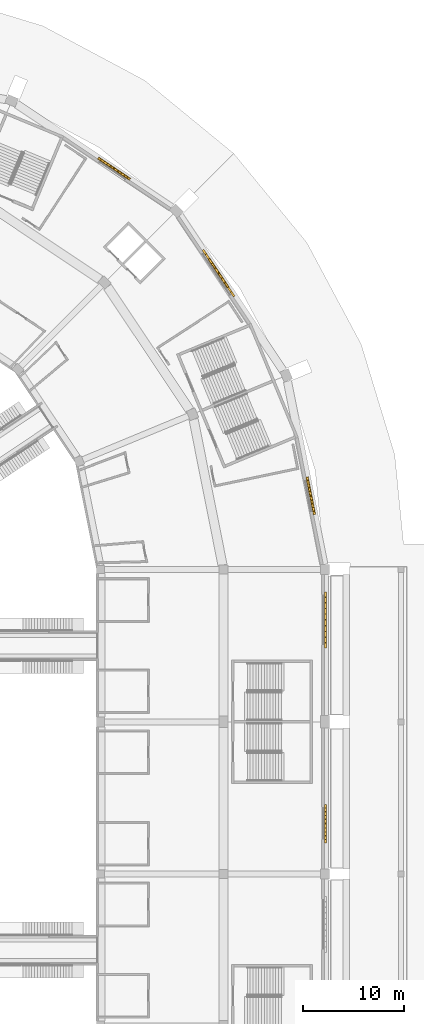
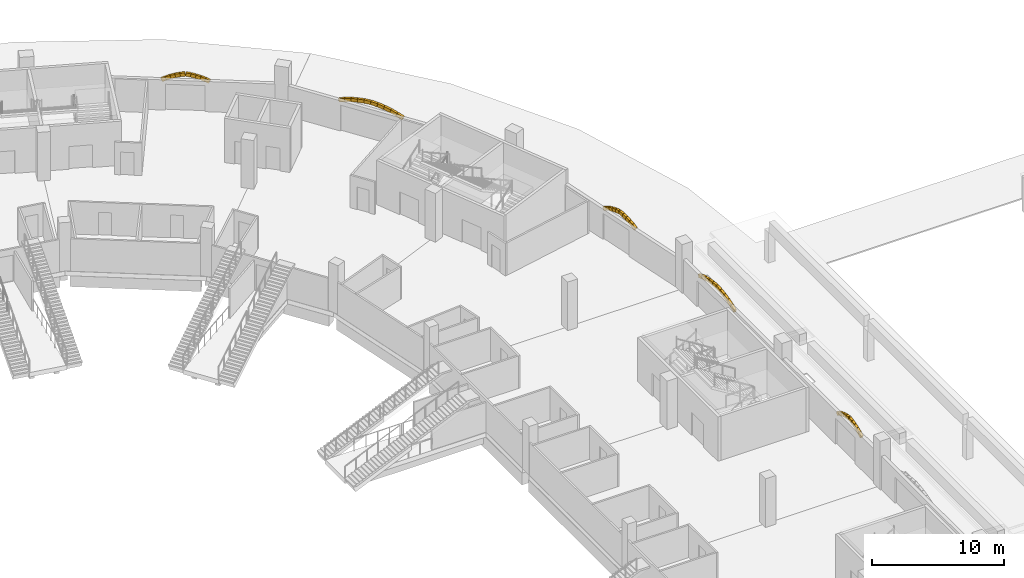
# One storey, part 175 of 175: 50 coverings.
"""IFC4 building model written with IfcOpenShell, lengths in metres."""

from ifc_helpers import new_model, si_unit, direction, frame, origin, origin_2d, place, context, subcontext, project, spatial, rectangle, extrude, material, material_profile, profile_set, type_object, element, save


model = new_model("IFC4")

# Units and contexts
model_context = context("Model", 3, precision=1e-05, world=origin(), true_north=direction((0.0, 1.0)))
body_context = subcontext(model_context, "Body", "Model", "MODEL_VIEW")
ifc_project = project(units=[si_unit("LENGTHUNIT", "METRE"), si_unit("AREAUNIT", "SQUARE_METRE"), si_unit("VOLUMEUNIT", "CUBIC_METRE"), si_unit("PLANEANGLEUNIT", "RADIAN"), si_unit("MASSUNIT", "GRAM", prefix="KILO")], contexts=[model_context])

# Site, building, storey
site_placement = place(None, origin())
site = spatial("IfcSite", under=ifc_project, at=site_placement, CompositionType="ELEMENT")
building_placement = place(site_placement, origin())
building = spatial("IfcBuilding", under=site, at=building_placement, Name="Ogive Plaza Stadium", CompositionType="ELEMENT")
storey_placement = place(building_placement, origin())
storey = spatial("IfcBuildingStorey", under=building, at=storey_placement, Name="L00", CompositionType="ELEMENT", Elevation=0.0)

# Coverings
ifc_material = material(Name="Cast stone (reconstituted limestone)", Category="masonry")
ifc_material_profile = material_profile(ifc_material, rectangle(XDim=0.199951171875, YDim=0.300048828125, at=origin_2d()), Name="Cast stone 200x300")
ifc_profile_set = profile_set([ifc_material_profile], Name="Cast stone (reconstituted limestone)")
covering_type = type_object("IfcCoveringType", Name="Portal arch rib 200x300", PredefinedType="MOLDING", material=ifc_profile_set)
covering_1_placement = place(storey_placement, frame((84.050048828125, 50.24169921875, 2.539794921875), z_axis=(0.0, -0.932339785038, 0.361583358627), x_axis=(1.0, 0.0, 0.0)))
element("IfcCovering", 1, at=covering_1_placement, inside=storey, type_object=covering_type, Name="PORTAL ARCH B01 1", PredefinedType="MOLDING", context=body_context, shape_type="SweptSolid", body=[
    extrude(rectangle(XDim=0.199951171875, YDim=0.300048828125, at=origin_2d()), origin(), (0.0, 0.0, 1.0), 0.546142578125),
])
covering_2_placement = place(storey_placement, frame((84.050048828125, 49.721923828125, 2.740966796875), z_axis=(0.0, -0.956375841274, 0.292139093972), x_axis=(1.0, 0.0, 0.0)))
element("IfcCovering", 2, at=covering_2_placement, inside=storey, type_object=covering_type, Name="PORTAL ARCH B01 2", PredefinedType="MOLDING", context=body_context, shape_type="SweptSolid", body=[
    extrude(rectangle(XDim=0.199951171875, YDim=0.300048828125, at=origin_2d()), origin(), (0.0, 0.0, 1.0), 0.546630859375),
])
covering_3_placement = place(storey_placement, frame((84.050048828125, 49.188720703125, 2.9033203125), z_axis=(0.0, -0.975242447538, 0.221138347014), x_axis=(1.0, 0.0, 0.0)))
element("IfcCovering", 3, at=covering_3_placement, inside=storey, type_object=covering_type, Name="PORTAL ARCH B01 3", PredefinedType="MOLDING", context=body_context, shape_type="SweptSolid", body=[
    extrude(rectangle(XDim=0.199951171875, YDim=0.300048828125, at=origin_2d()), origin(), (0.0, 0.0, 1.0), 0.54638671875),
])
covering_4_placement = place(storey_placement, frame((84.050048828125, 48.64501953125, 3.026123046875), z_axis=(0.0, -0.988942904622, 0.148296767992), x_axis=(1.0, 0.0, 0.0)))
element("IfcCovering", 4, at=covering_4_placement, inside=storey, type_object=covering_type, Name="PORTAL ARCH B01 4", PredefinedType="MOLDING", context=body_context, shape_type="SweptSolid", body=[
    extrude(rectangle(XDim=0.199951171875, YDim=0.300048828125, at=origin_2d()), origin(), (0.0, 0.0, 1.0), 0.546630859375),
])
for number, where, z_axis, x_axis, name in (
    (5, (84.050048828125, 48.093505859375, 3.1083984375), (0.0, -0.997143198104, 0.075534379417), (1.0, 0.0, 0.0), "PORTAL ARCH B01 5"),
    (6, (84.050048828125, 47.526123046875, 3.149658203125), (0.0, -0.997143198104, -0.075534379417), (1.0, 0.0, 0.0), "PORTAL ARCH B01 6"),
):
    element("IfcCovering", number, at=place(storey_placement, frame(where, z_axis=z_axis, x_axis=x_axis)), inside=storey, type_object=covering_type, Name=name, PredefinedType="MOLDING", context=body_context, shape_type="SweptSolid", body=[
        extrude(rectangle(XDim=0.199951171875, YDim=0.300048828125, at=origin_2d()), origin(), (0.0, 0.0, 1.0), 0.546142578125),
    ])
for number, where, z_axis, x_axis, name in (
    (7, (84.050048828125, 46.970458984375, 3.107177734375), (0.0, -0.988933074819, -0.148362304944), (1.0, 0.0, 0.0), "PORTAL ARCH B01 7"),
    (8, (84.050048828125, 46.419189453125, 3.024169921875), (0.0, -0.975242447538, -0.221138347014), (1.0, 0.0, 0.0), "PORTAL ARCH B01 8"),
):
    element("IfcCovering", number, at=place(storey_placement, frame(where, z_axis=z_axis, x_axis=x_axis)), inside=storey, type_object=covering_type, Name=name, PredefinedType="MOLDING", context=body_context, shape_type="SweptSolid", body=[
        extrude(rectangle(XDim=0.199951171875, YDim=0.300048828125, at=origin_2d()), origin(), (0.0, 0.0, 1.0), 0.54638671875),
    ])
covering_5_placement = place(storey_placement, frame((84.050048828125, 45.875732421875, 2.900634765625), z_axis=(0.0, -0.956375841274, -0.292139093972), x_axis=(1.0, 0.0, 0.0)))
element("IfcCovering", 9, at=covering_5_placement, inside=storey, type_object=covering_type, Name="PORTAL ARCH B01 9", PredefinedType="MOLDING", context=body_context, shape_type="SweptSolid", body=[
    extrude(rectangle(XDim=0.199951171875, YDim=0.300048828125, at=origin_2d()), origin(), (0.0, 0.0, 1.0), 0.546630859375),
])
covering_6_placement = place(storey_placement, frame((84.050048828125, 45.3427734375, 2.7373046875), z_axis=(0.0, -0.932398184034, -0.361432741199), x_axis=(1.0, 0.0, 0.0)))
element("IfcCovering", 10, at=covering_6_placement, inside=storey, type_object=covering_type, Name="PORTAL ARCH B01 10", PredefinedType="MOLDING", context=body_context, shape_type="SweptSolid", body=[
    extrude(rectangle(XDim=0.199951171875, YDim=0.300048828125, at=origin_2d()), origin(), (0.0, 0.0, 1.0), 0.54638671875),
])
covering_7_placement = place(storey_placement, frame((84.050048828125, 29.281982421875, 2.532958984375), z_axis=(0.0, -0.885870063545, 0.463933433279), x_axis=(1.0, 0.0, 0.0)))
element("IfcCovering", 11, at=covering_7_placement, inside=storey, type_object=covering_type, Name="PORTAL ARCH B02 1", PredefinedType="MOLDING", context=body_context, shape_type="SweptSolid", body=[
    extrude(rectangle(XDim=0.199951171875, YDim=0.300048828125, at=origin_2d()), origin(), (0.0, 0.0, 1.0), 0.3720703125),
])
covering_8_placement = place(storey_placement, frame((84.050048828125, 28.942138671875, 2.71044921875), z_axis=(0.0, -0.918771491846, 0.394789748816), x_axis=(1.0, 0.0, 0.0)))
element("IfcCovering", 12, at=covering_8_placement, inside=storey, type_object=covering_type, Name="PORTAL ARCH B02 2", PredefinedType="MOLDING", context=body_context, shape_type="SweptSolid", body=[
    extrude(rectangle(XDim=0.199951171875, YDim=0.300048828125, at=origin_2d()), origin(), (0.0, 0.0, 1.0), 0.372314453125),
])
for number, where, z_axis, x_axis, name in (
    (13, (84.050048828125, 28.589599609375, 2.861572265625), (0.0, -0.946026425691, 0.324089496735), (1.0, 0.0, 0.0), "PORTAL ARCH B02 3"),
    (14, (84.050048828125, 28.2265625, 2.985595703125), (0.0, -0.96790236306, 0.2513265119), (1.0, 0.0, 0.0), "PORTAL ARCH B02 4"),
):
    element("IfcCovering", number, at=place(storey_placement, frame(where, z_axis=z_axis, x_axis=x_axis)), inside=storey, type_object=covering_type, Name=name, PredefinedType="MOLDING", context=body_context, shape_type="SweptSolid", body=[
        extrude(rectangle(XDim=0.199951171875, YDim=0.300048828125, at=origin_2d()), origin(), (0.0, 0.0, 1.0), 0.3720703125),
    ])
covering_9_placement = place(storey_placement, frame((84.050048828125, 27.85546875, 3.08154296875), z_axis=(0.0, -0.984089453269, 0.177673712083), x_axis=(1.0, 0.0, 0.0)))
element("IfcCovering", 15, at=covering_9_placement, inside=storey, type_object=covering_type, Name="PORTAL ARCH B02 5", PredefinedType="MOLDING", context=body_context, shape_type="SweptSolid", body=[
    extrude(rectangle(XDim=0.199951171875, YDim=0.300048828125, at=origin_2d()), origin(), (0.0, 0.0, 1.0), 0.372314453125),
])
covering_10_placement = place(storey_placement, frame((84.050048828125, 27.435791015625, 3.147705078125), z_axis=(0.0, -0.984068736563, -0.177788418406), x_axis=(1.0, 0.0, 0.0)))
element("IfcCovering", 16, at=covering_10_placement, inside=storey, type_object=covering_type, Name="PORTAL ARCH B02 6", PredefinedType="MOLDING", context=body_context, shape_type="SweptSolid", body=[
    extrude(rectangle(XDim=0.199951171875, YDim=0.300048828125, at=origin_2d()), origin(), (0.0, 0.0, 1.0), 0.3720703125),
])
covering_11_placement = place(storey_placement, frame((84.050048828125, 27.05859375, 3.0791015625), z_axis=(0.0, -0.967943772802, -0.251166981696), x_axis=(1.0, 0.0, 0.0)))
element("IfcCovering", 17, at=covering_11_placement, inside=storey, type_object=covering_type, Name="PORTAL ARCH B02 7", PredefinedType="MOLDING", context=body_context, shape_type="SweptSolid", body=[
    extrude(rectangle(XDim=0.199951171875, YDim=0.300048828125, at=origin_2d()), origin(), (0.0, 0.0, 1.0), 0.372314453125),
])
for number, where, z_axis, x_axis, name in (
    (18, (84.050048828125, 26.6875, 2.982177734375), (0.0, -0.946026425691, -0.324089496735), (1.0, 0.0, 0.0), "PORTAL ARCH B02 8"),
    (19, (84.050048828125, 26.32470703125, 2.857421875), (0.0, -0.91866918758, -0.395027750659), (1.0, 0.0, 0.0), "PORTAL ARCH B02 9"),
):
    element("IfcCovering", number, at=place(storey_placement, frame(where, z_axis=z_axis, x_axis=x_axis)), inside=storey, type_object=covering_type, Name=name, PredefinedType="MOLDING", context=body_context, shape_type="SweptSolid", body=[
        extrude(rectangle(XDim=0.199951171875, YDim=0.300048828125, at=origin_2d()), origin(), (0.0, 0.0, 1.0), 0.3720703125),
    ])
covering_12_placement = place(storey_placement, frame((84.050048828125, 25.97265625, 2.70556640625), z_axis=(0.0, -0.886011177193, -0.463663880293), x_axis=(1.0, 0.0, 0.0)))
element("IfcCovering", 20, at=covering_12_placement, inside=storey, type_object=covering_type, Name="PORTAL ARCH B02 10", PredefinedType="MOLDING", context=body_context, shape_type="SweptSolid", body=[
    extrude(rectangle(XDim=0.199951171875, YDim=0.300048828125, at=origin_2d()), origin(), (0.0, 0.0, 1.0), 0.372314453125),
])
for number, where, z_axis, x_axis, name in (
    (21, (61.707275390625, 93.025634765625, 2.532958984375), (0.736733594682, -0.492030450589, 0.463820704755), (0.555383558036, 0.831594314232, 0.0), "PORTAL ARCH B38 1"),
    (22, (61.989990234375, 92.8369140625, 2.71044921875), (0.763778212162, -0.510497808472, 0.39501244306), (0.555688769979, 0.831390396215, 0.0), "PORTAL ARCH B38 2"),
    (23, (62.282958984375, 92.64111328125, 2.861572265625), (0.786633308415, -0.525515663086, 0.324100795961), (0.555500141576, 0.831516441635, 0.0), "PORTAL ARCH B38 3"),
):
    element("IfcCovering", number, at=place(storey_placement, frame(where, z_axis=z_axis, x_axis=x_axis)), inside=storey, type_object=covering_type, Name=name, PredefinedType="MOLDING", context=body_context, shape_type="SweptSolid", body=[
        extrude(rectangle(XDim=0.199951171875, YDim=0.300048828125, at=origin_2d()), origin(), (0.0, 0.0, 1.0), 0.3720703125),
    ])
covering_13_placement = place(storey_placement, frame((62.584716796875, 92.439453125, 2.985595703125), z_axis=(0.804764415052, -0.537821369472, 0.251201932327), x_axis=(0.555638069208, 0.831424281608, 0.0)))
element("IfcCovering", 24, at=covering_13_placement, inside=storey, type_object=covering_type, Name="PORTAL ARCH B38 4", PredefinedType="MOLDING", context=body_context, shape_type="SweptSolid", body=[
    extrude(rectangle(XDim=0.199951171875, YDim=0.300048828125, at=origin_2d()), origin(), (0.0, 0.0, 1.0), 0.372314453125),
])
covering_14_placement = place(storey_placement, frame((62.8935546875, 92.233154296875, 3.08154296875), z_axis=(0.817989692207, -0.547075704331, 0.177766805604), x_axis=(0.555930204256, 0.831228974469, 0.0)))
element("IfcCovering", 25, at=covering_14_placement, inside=storey, type_object=covering_type, Name="PORTAL ARCH B38 5", PredefinedType="MOLDING", context=body_context, shape_type="SweptSolid", body=[
    extrude(rectangle(XDim=0.199951171875, YDim=0.300048828125, at=origin_2d()), origin(), (0.0, 0.0, 1.0), 0.3720703125),
])
covering_15_placement = place(storey_placement, frame((63.2421875, 92.0, 3.147705078125), z_axis=(0.818499863145, -0.546322424679, -0.177735146564), x_axis=(0.555161506596, 0.831742569305, 0.0)))
element("IfcCovering", 26, at=covering_15_placement, inside=storey, type_object=covering_type, Name="PORTAL ARCH B38 6", PredefinedType="MOLDING", context=body_context, shape_type="SweptSolid", body=[
    extrude(rectangle(XDim=0.199951171875, YDim=0.300048828125, at=origin_2d()), origin(), (0.0, 0.0, 1.0), 0.372314453125),
])
for number, where, z_axis, x_axis, name in (
    (27, (63.55615234375, 91.79052734375, 3.0791015625), (0.80453312997, -0.538105356097, -0.25133457486), (0.555951241173, 0.831214904485, 0.0), "PORTAL ARCH B38 7"),
    (28, (63.864501953125, 91.584228515625, 2.982177734375), (0.786633308415, -0.525515663086, -0.324100795961), (0.555500141576, 0.831516441635, 0.0), "PORTAL ARCH B38 8"),
    (29, (64.166259765625, 91.3828125, 2.857421875), (0.763778212162, -0.510497808472, -0.39501244306), (0.555688769979, 0.831390396215, 0.0), "PORTAL ARCH B38 9"),
):
    element("IfcCovering", number, at=place(storey_placement, frame(where, z_axis=z_axis, x_axis=x_axis)), inside=storey, type_object=covering_type, Name=name, PredefinedType="MOLDING", context=body_context, shape_type="SweptSolid", body=[
        extrude(rectangle(XDim=0.199951171875, YDim=0.300048828125, at=origin_2d()), origin(), (0.0, 0.0, 1.0), 0.3720703125),
    ])
covering_16_placement = place(storey_placement, frame((64.458984375, 91.187255859375, 2.70556640625), z_axis=(0.736495739703, -0.492527426996, -0.463670959902), x_axis=(0.555895342199, 0.831252289333, 0.0)))
element("IfcCovering", 30, at=covering_16_placement, inside=storey, type_object=covering_type, Name="PORTAL ARCH B38 10", PredefinedType="MOLDING", context=body_context, shape_type="SweptSolid", body=[
    extrude(rectangle(XDim=0.199951171875, YDim=0.300048828125, at=origin_2d()), origin(), (0.0, 0.0, 1.0), 0.372314453125),
])
covering_17_placement = place(storey_placement, frame((72.012451171875, 83.96875, 2.539794921875), z_axis=(0.517907069868, -0.775296605885, 0.361507178191), x_axis=(0.831533797008, 0.555474161805, 0.0)))
element("IfcCovering", 31, at=covering_17_placement, inside=storey, type_object=covering_type, Name="PORTAL ARCH B39 1", PredefinedType="MOLDING", context=body_context, shape_type="SweptSolid", body=[
    extrude(rectangle(XDim=0.199951171875, YDim=0.300048828125, at=origin_2d()), origin(), (0.0, 0.0, 1.0), 0.54638671875),
])
covering_18_placement = place(storey_placement, frame((72.30126953125, 83.536376953125, 2.740966796875), z_axis=(0.531403454617, -0.79509398298, 0.292294246694), x_axis=(0.831402638314, 0.555670453601, 0.0)))
element("IfcCovering", 32, at=covering_18_placement, inside=storey, type_object=covering_type, Name="PORTAL ARCH B39 2", PredefinedType="MOLDING", context=body_context, shape_type="SweptSolid", body=[
    extrude(rectangle(XDim=0.199951171875, YDim=0.300048828125, at=origin_2d()), origin(), (0.0, 0.0, 1.0), 0.546142578125),
])
covering_19_placement = place(storey_placement, frame((72.597412109375, 83.093017578125, 2.9033203125), z_axis=(0.54189495829, -0.81083210989, 0.22113602997), x_axis=(0.831415485573, 0.555651230854, 0.0)))
element("IfcCovering", 33, at=covering_19_placement, inside=storey, type_object=covering_type, Name="PORTAL ARCH B39 3", PredefinedType="MOLDING", context=body_context, shape_type="SweptSolid", body=[
    extrude(rectangle(XDim=0.199951171875, YDim=0.300048828125, at=origin_2d()), origin(), (0.0, 0.0, 1.0), 0.54638671875),
])
covering_20_placement = place(storey_placement, frame((72.899658203125, 82.640869140625, 3.026123046875), z_axis=(0.549281491744, -0.82235796974, 0.148381981496), x_axis=(0.831563273147, 0.555430034075, 0.0)))
element("IfcCovering", 34, at=covering_20_placement, inside=storey, type_object=covering_type, Name="PORTAL ARCH B39 4", PredefinedType="MOLDING", context=body_context, shape_type="SweptSolid", body=[
    extrude(rectangle(XDim=0.199951171875, YDim=0.300048828125, at=origin_2d()), origin(), (0.0, 0.0, 1.0), 0.546142578125),
])
covering_21_placement = place(storey_placement, frame((73.205810546875, 82.1826171875, 3.1083984375), z_axis=(0.553941556835, -0.829125427005, 0.075496873472), x_axis=(0.831498491688, 0.555527009533, 0.0)))
element("IfcCovering", 35, at=covering_21_placement, inside=storey, type_object=covering_type, Name="PORTAL ARCH B39 5", PredefinedType="MOLDING", context=body_context, shape_type="SweptSolid", body=[
    extrude(rectangle(XDim=0.199951171875, YDim=0.300048828125, at=origin_2d()), origin(), (0.0, 0.0, 1.0), 0.546630859375),
])
covering_22_placement = place(storey_placement, frame((73.521240234375, 81.710693359375, 3.149658203125), z_axis=(0.553837015066, -0.829191011257, -0.075543547656), x_axis=(0.831567211603, 0.555424137562, 0.0)))
element("IfcCovering", 36, at=covering_22_placement, inside=storey, type_object=covering_type, Name="PORTAL ARCH B39 6", PredefinedType="MOLDING", context=body_context, shape_type="SweptSolid", body=[
    extrude(rectangle(XDim=0.199951171875, YDim=0.300048828125, at=origin_2d()), origin(), (0.0, 0.0, 1.0), 0.546142578125),
])
covering_23_placement = place(storey_placement, frame((73.829833984375, 81.24853515625, 3.107177734375), z_axis=(0.549593466086, -0.822156079348, -0.148345553448), x_axis=(0.831354528555, 0.555742429414, 0.0)))
element("IfcCovering", 37, at=covering_23_placement, inside=storey, type_object=covering_type, Name="PORTAL ARCH B39 7", PredefinedType="MOLDING", context=body_context, shape_type="SweptSolid", body=[
    extrude(rectangle(XDim=0.199951171875, YDim=0.300048828125, at=origin_2d()), origin(), (0.0, 0.0, 1.0), 0.54638671875),
])
covering_24_placement = place(storey_placement, frame((74.13623046875, 80.790283203125, 3.024169921875), z_axis=(0.541775613604, -0.810875382077, -0.22126974318), x_axis=(0.831485714606, 0.555546133463, 0.0)))
element("IfcCovering", 38, at=covering_24_placement, inside=storey, type_object=covering_type, Name="PORTAL ARCH B39 8", PredefinedType="MOLDING", context=body_context, shape_type="SweptSolid", body=[
    extrude(rectangle(XDim=0.199951171875, YDim=0.300048828125, at=origin_2d()), origin(), (0.0, 0.0, 1.0), 0.546142578125),
])
for number, where, z_axis, x_axis, name in (
    (39, (74.438232421875, 80.33837890625, 2.900634765625), (0.531214665949, -0.795258288805, -0.292190404988), (0.831546855489, 0.555454613021, 0.0), "PORTAL ARCH B39 9"),
    (40, (74.734130859375, 79.895263671875, 2.7373046875), (0.518233953801, -0.77511716366, -0.361423507436), (0.831312417178, 0.55580542013, 0.0), "PORTAL ARCH B39 10"),
):
    element("IfcCovering", number, at=place(storey_placement, frame(where, z_axis=z_axis, x_axis=x_axis)), inside=storey, type_object=covering_type, Name=name, PredefinedType="MOLDING", context=body_context, shape_type="SweptSolid", body=[
        extrude(rectangle(XDim=0.199951171875, YDim=0.300048828125, at=origin_2d()), origin(), (0.0, 0.0, 1.0), 0.54638671875),
    ])
for number, where, z_axis, x_axis, name in (
    (41, (82.248046875, 61.56396484375, 2.532958984375), (0.172593804441, -0.868875274069, 0.46396889635), (0.980836272657, 0.194833791321, 0.0), "PORTAL ARCH B40 1"),
    (42, (82.314453125, 61.23046875, 2.71044921875), (0.179153683257, -0.901018341069, 0.395056840003), (0.980799859231, 0.195017014982, 0.0), "PORTAL ARCH B40 2"),
    (43, (82.383056640625, 60.884765625, 2.861572265625), (0.185024234657, -0.927745630515, 0.324120467804), (0.980687231379, 0.195582602015, 0.0), "PORTAL ARCH B40 3"),
    (44, (82.453857421875, 60.52880859375, 2.985595703125), (0.18894115676, -0.949298103584, 0.251265496664), (0.980762733237, 0.195203640064, 0.0), "PORTAL ARCH B40 4"),
):
    element("IfcCovering", number, at=place(storey_placement, frame(where, z_axis=z_axis, x_axis=x_axis)), inside=storey, type_object=covering_type, Name=name, PredefinedType="MOLDING", context=body_context, shape_type="SweptSolid", body=[
        extrude(rectangle(XDim=0.199951171875, YDim=0.300048828125, at=origin_2d()), origin(), (0.0, 0.0, 1.0), 0.3720703125),
    ])
for number, where, z_axis, x_axis, name in (
    (45, (82.5263671875, 60.164794921875, 3.08154296875), (0.192112603194, -0.965152736863, 0.177687766094), (0.980759647752, 0.195219141842, 0.0), "PORTAL ARCH B40 5"),
    (46, (82.608154296875, 59.75341796875, 3.147705078125), (0.192112603194, -0.965152736863, -0.177687766094), (0.980759647752, 0.195219141842, 0.0), "PORTAL ARCH B40 6"),
):
    element("IfcCovering", number, at=place(storey_placement, frame(where, z_axis=z_axis, x_axis=x_axis)), inside=storey, type_object=covering_type, Name=name, PredefinedType="MOLDING", context=body_context, shape_type="SweptSolid", body=[
        extrude(rectangle(XDim=0.199951171875, YDim=0.300048828125, at=origin_2d()), origin(), (0.0, 0.0, 1.0), 0.372314453125),
    ])
for number, where, z_axis, x_axis, name in (
    (47, (82.681884765625, 59.38330078125, 3.0791015625), (0.18894115676, -0.949298103584, -0.251265496664), (0.980762733237, 0.195203640064, 0.0), "PORTAL ARCH B40 7"),
    (48, (82.754150390625, 59.019287109375, 2.982177734375), (0.185024234657, -0.927745630515, -0.324120467804), (0.980687231379, 0.195582602015, 0.0), "PORTAL ARCH B40 8"),
    (49, (82.824951171875, 58.66357421875, 2.857421875), (0.179153683257, -0.901018341069, -0.395056840003), (0.980799859231, 0.195017014982, 0.0), "PORTAL ARCH B40 9"),
    (50, (82.8935546875, 58.318115234375, 2.70556640625), (0.173230397569, -0.868776690838, -0.463916254096), (0.980694464892, 0.195546328347, 0.0), "PORTAL ARCH B40 10"),
):
    element("IfcCovering", number, at=place(storey_placement, frame(where, z_axis=z_axis, x_axis=x_axis)), inside=storey, type_object=covering_type, Name=name, PredefinedType="MOLDING", context=body_context, shape_type="SweptSolid", body=[
        extrude(rectangle(XDim=0.199951171875, YDim=0.300048828125, at=origin_2d()), origin(), (0.0, 0.0, 1.0), 0.3720703125),
    ])

save(model, "model.ifc")
